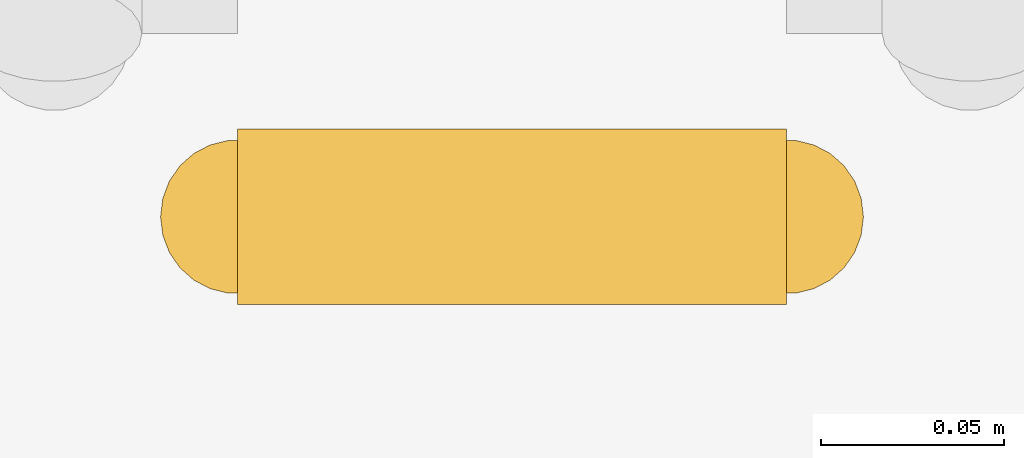
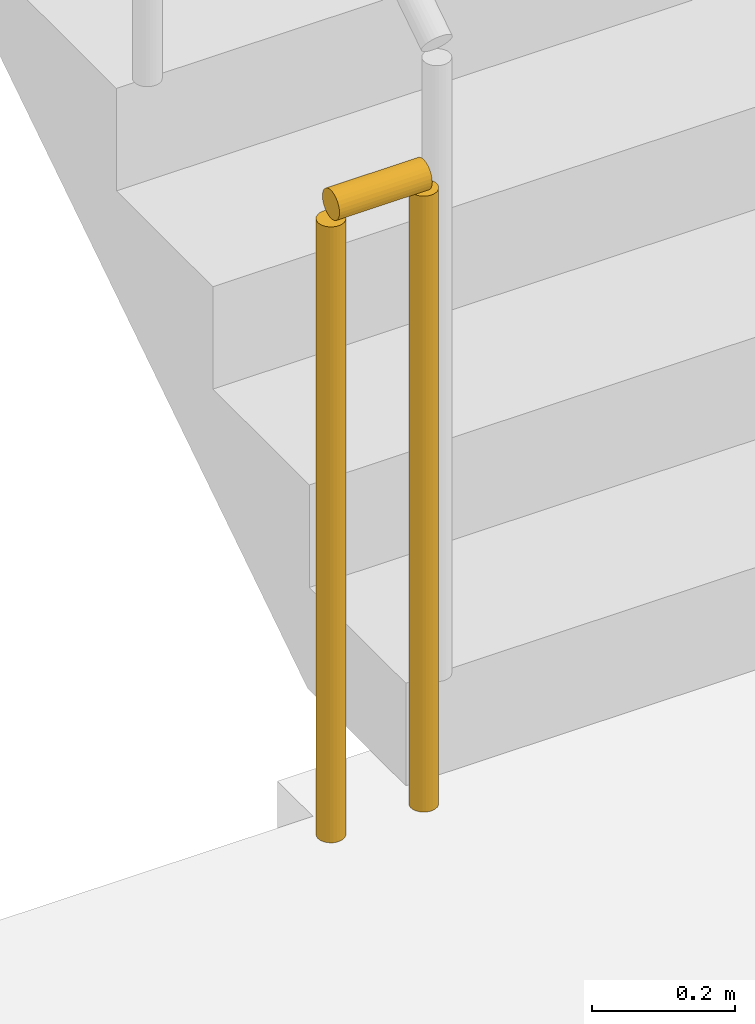
# One storey, part 17 of 20: 1 railing.
"""IFC4 building model written with IfcOpenShell, lengths in metres."""

from ifc_helpers import new_model, si_unit, direction, frame, origin, origin_2d, place, context, subcontext, project, spatial, circle, extrude, material, type_object, element, save


model = new_model("IFC4")

# Units and contexts
model_context = context("Model", 3, precision=1e-05, world=origin(), true_north=direction((0.0, 1.0)))
body_context = subcontext(model_context, "Body", "Model", "MODEL_VIEW")
ifc_project = project(units=[si_unit("LENGTHUNIT", "METRE"), si_unit("AREAUNIT", "SQUARE_METRE"), si_unit("VOLUMEUNIT", "CUBIC_METRE"), si_unit("PLANEANGLEUNIT", "RADIAN"), si_unit("MASSUNIT", "GRAM", prefix="KILO")], contexts=[model_context])

# Site, building, storey
site_placement = place(None, origin())
site = spatial("IfcSite", under=ifc_project, at=site_placement, CompositionType="ELEMENT")
building_placement = place(site_placement, origin())
building = spatial("IfcBuilding", under=site, at=building_placement, Name="Saffron Iwan Residences", CompositionType="ELEMENT")
storey_placement = place(building_placement, frame((0.0, 0.0, 130.5)))
storey = spatial("IfcBuildingStorey", under=building, at=storey_placement, Name="L34", CompositionType="ELEMENT", Elevation=130.5)

# Railing
ifc_material = material(Name="Steel S355", Category="steel")
railing_type = type_object("IfcRailingType", Name="Stair guard 1100", PredefinedType="GUARDRAIL", material=ifc_material)
railing_placement = place(storey_placement, frame((69.699951171875, 67.800048828125, 0.0)))
element("IfcRailing", 1, at=railing_placement, inside=storey, type_object=railing_type, Name="L34 ST-E stair guard 2", PredefinedType="GUARDRAIL", context=body_context, shape_type="SweptSolid", body=[
    extrude(circle(Radius=0.02392578125, at=origin_2d()), frame((0.0, 0.0, 1.076171875), z_axis=(-1.0, 0.0, 0.0), x_axis=(0.0, -1.0, 0.0)), (0.0, 0.0, 1.0), 0.14990234375),
    extrude(circle(Radius=0.02099609375, at=origin_2d()), origin(), (0.0, 0.0, 1.0), 1.052001953125),
    extrude(circle(Radius=0.02099609375, at=origin_2d()), frame((-0.14990234375, 0.0, 0.0)), (0.0, 0.0, 1.0), 1.052001953125),
])

save(model, "model.ifc")
